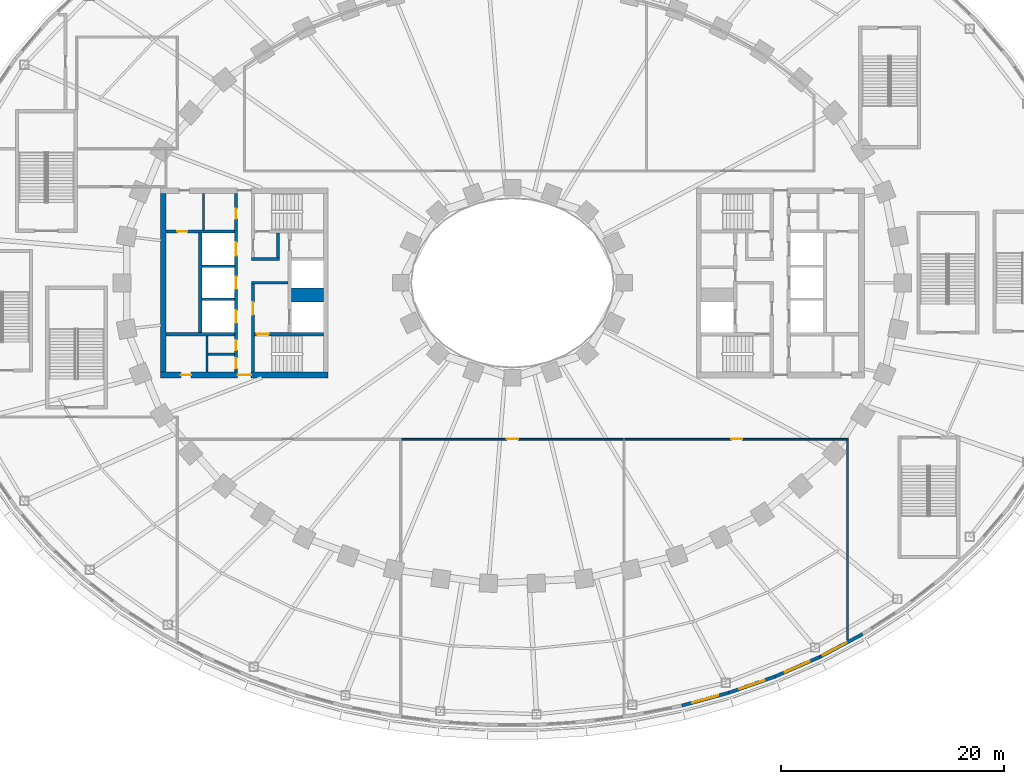
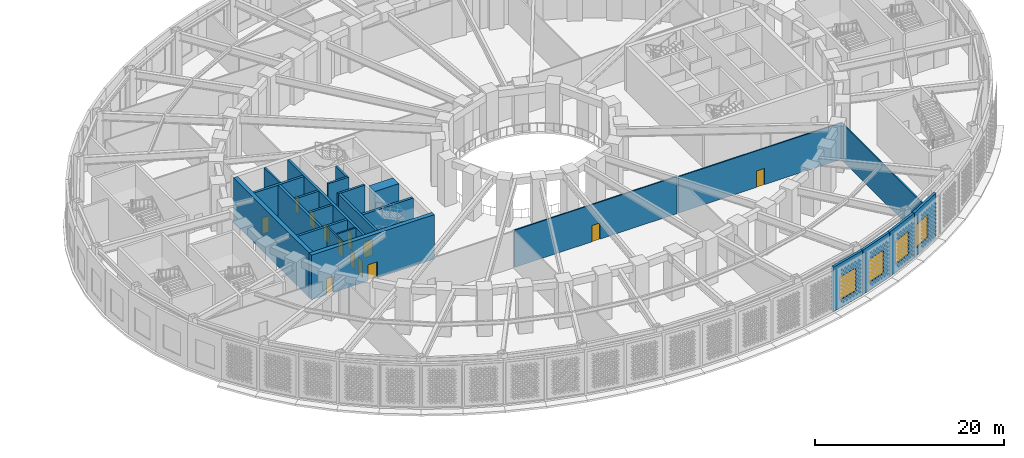
# One storey, part 22 of 74: 24 walls, 13 doors, 4 windows, 17 openings.
"""IFC4 building model written with IfcOpenShell, lengths in metres."""

from ifc_helpers import new_model, si_unit, direction, frame, frame_2d, origin, place, context, subcontext, project, spatial, rectangle, extrude, material, layer, layer_set, type_object, element, fill, save


model = new_model("IFC4")

# Units and contexts
model_context = context("Model", 3, precision=1e-05, world=origin(), true_north=direction((0.0, 1.0)))
body_context = subcontext(model_context, "Body", "Model", "MODEL_VIEW")
ifc_project = project(units=[si_unit("LENGTHUNIT", "METRE"), si_unit("AREAUNIT", "SQUARE_METRE"), si_unit("VOLUMEUNIT", "CUBIC_METRE"), si_unit("PLANEANGLEUNIT", "RADIAN"), si_unit("MASSUNIT", "GRAM", prefix="KILO")], contexts=[model_context])

# Site, building, storey
site_placement = place(None, origin())
site = spatial("IfcSite", under=ifc_project, at=site_placement, CompositionType="ELEMENT")
building_placement = place(site_placement, origin())
building = spatial("IfcBuilding", under=site, at=building_placement, Name="Noorbagh Ring Tower", CompositionType="ELEMENT")
storey_placement = place(building_placement, frame((0.0, 0.0, 13.5)))
storey = spatial("IfcBuildingStorey", under=building, at=storey_placement, Name="L02", CompositionType="ELEMENT", Elevation=13.5)

# Walls
ifc_material_1 = material(Name="Gypsum board on steel studs", Category="steel")
ifc_layer_1 = layer(ifc_material_1, 0.199951171875)
ifc_layer_set_1 = layer_set([ifc_layer_1], Name="Gypsum board on steel studs")
wall_type_1 = type_object("IfcWallType", Name="CORE-PARTITION-200", PredefinedType="PARTITIONING", material=ifc_layer_set_1)
for number, where, z_axis, x_axis, name in (
    (1, (-27.64990234375, 4.75, 0.0), (0.0, 0.0, 1.0), (0.0, 1.0, 0.0), "Core partition W"),
    (2, (-27.35009765625, -8.0, 0.0), (0.0, 0.0, 1.0), (0.0, 1.0, 0.0), "Core partition W"),
):
    element("IfcWall", number, at=place(storey_placement, frame(where, z_axis=z_axis, x_axis=x_axis)), inside=storey, type_object=wall_type_1, Name=name, PredefinedType="PARTITIONING", context=body_context, shape_type="SweptSolid", body=[
        extrude(rectangle(XDim=3.25, YDim=0.199951171875, at=frame_2d((1.625, 0.0))), origin(), (0.0, 0.0, 1.0), 5.75),
    ])
wall_1_placement = place(storey_placement, frame((-24.89990234375, -6.39990234375, 0.0), z_axis=(0.0, 0.0, 1.0), x_axis=(-1.0, 0.0, 0.0)))
element("IfcWall", 3, at=wall_1_placement, inside=storey, type_object=wall_type_1, Name="Core partition W", PredefinedType="PARTITIONING", context=body_context, shape_type="SweptSolid", body=[
    extrude(rectangle(XDim=2.35009765625, YDim=0.199951171875, at=frame_2d((1.175048828125, 0.0))), origin(), (0.0, 0.0, 1.0), 5.75),
])
ifc_material_2 = material(Name="Concrete C70/85", Category="concrete")
ifc_layer_2 = layer(ifc_material_2, 1.25)
ifc_layer_set_2 = layer_set([ifc_layer_2], Name="Concrete C70/85")
wall_type_2 = type_object("IfcWallType", Name="CORE-WALL-1250-C70-85-EI120", PredefinedType="SHEAR", material=ifc_layer_set_2)
wall_2_placement = place(storey_placement, frame((-16.89990234375, -1.074951171875, 0.0), z_axis=(0.0, 0.0, 1.0), x_axis=(-1.0, 0.0, 0.0)))
element("IfcWall", 4, at=wall_2_placement, inside=storey, type_object=wall_type_2, Name="Core wall W", PredefinedType="SHEAR", context=body_context, shape_type="SweptSolid", body=[
    extrude(rectangle(XDim=2.900146484375, YDim=1.25, at=frame_2d((1.4501953125, 0.0))), origin(), (0.0, 0.0, 1.0), 5.75),
])
ifc_material_3 = material(Name="Concrete C70/85", Category="concrete")
ifc_layer_3 = layer(ifc_material_3, 0.25)
ifc_layer_set_3 = layer_set([ifc_layer_3], Name="Concrete C70/85")
wall_type_3 = type_object("IfcWallType", Name="CORE-WALL-250-C70-85-EI120", PredefinedType="SHEAR", material=ifc_layer_set_3)
for number, where, z_axis, x_axis, name in (
    (5, (-24.89990234375, -1.47509765625, 0.0), (0.0, 0.0, 1.0), (-1.0, 0.0, 0.0), "Core wall W"),
    (6, (-24.89990234375, 1.47509765625, 0.0), (0.0, 0.0, 1.0), (-1.0, 0.0, 0.0), "Core wall W"),
):
    element("IfcWall", number, at=place(storey_placement, frame(where, z_axis=z_axis, x_axis=x_axis)), inside=storey, type_object=wall_type_3, Name=name, PredefinedType="SHEAR", context=body_context, shape_type="SweptSolid", body=[
        extrude(rectangle(XDim=2.900146484375, YDim=0.25, at=frame_2d((1.4501953125, 0.0))), origin(), (0.0, 0.0, 1.0), 5.75),
    ])
ifc_material_4 = material(Name="Concrete C70/85", Category="concrete")
ifc_layer_4 = layer(ifc_material_4, 0.25)
ifc_layer_set_4 = layer_set([ifc_layer_4], Name="Concrete C70/85")
wall_type_4 = type_object("IfcWallType", Name="CORE-WALL-250-C70-85-EI240", PredefinedType="SHEAR", material=ifc_layer_set_4)
wall_3_placement = place(storey_placement, frame((-20.10009765625, 0.0, 0.0), z_axis=(0.0, 0.0, 1.0), x_axis=(-1.0, 0.0, 0.0)))
element("IfcWall", 7, at=wall_3_placement, inside=storey, type_object=wall_type_4, Name="Core wall W", PredefinedType="SHEAR", context=body_context, shape_type="SweptSolid", body=[
    extrude(rectangle(XDim=3.27978515625, YDim=0.25, at=frame_2d((1.639892578125, 0.0))), origin(), (0.0, 0.0, 1.0), 5.75),
])
wall_4_placement = place(storey_placement, frame((-20.85009765625, 2.125, 0.0), z_axis=(0.0, 0.0, 1.0), x_axis=(-1.0, 0.0, 0.0)))
element("IfcWall", 8, at=wall_4_placement, inside=storey, type_object=wall_type_4, Name="Core wall W", PredefinedType="SHEAR", context=body_context, shape_type="SweptSolid", body=[
    extrude(rectangle(XDim=2.52978515625, YDim=0.25, at=frame_2d((1.264892578125, 0.0))), origin(), (0.0, 0.0, 1.0), 5.75),
])
wall_5_placement = place(storey_placement, frame((-20.97509765625, 2.25, 0.0), z_axis=(0.0, 0.0, 1.0), x_axis=(0.0, 1.0, 0.0)))
element("IfcWall", 9, at=wall_5_placement, inside=storey, type_object=wall_type_4, Name="Core wall W", PredefinedType="SHEAR", context=body_context, shape_type="SweptSolid", body=[
    extrude(rectangle(XDim=2.199951171875, YDim=0.25, at=frame_2d((1.10009765625, 0.0))), origin(), (0.0, 0.0, 1.0), 5.75),
])
ifc_material_5 = material(Name="Concrete C70/85", Category="concrete")
ifc_layer_5 = layer(ifc_material_5, 0.300048828125)
ifc_layer_set_5 = layer_set([ifc_layer_5], Name="Concrete C70/85")
wall_type_5 = type_object("IfcWallType", Name="CORE-WALL-300-C70-85-EI120", PredefinedType="SHEAR", material=ifc_layer_set_5)
wall_6_placement = place(storey_placement, frame((-27.949951171875, -4.449951171875, 0.0), z_axis=(0.0, 0.0, 1.0), x_axis=(0.0, 1.0, 0.0)))
element("IfcWall", 10, at=wall_6_placement, inside=storey, type_object=wall_type_5, Name="Core wall W", PredefinedType="SHEAR", context=body_context, shape_type="SweptSolid", body=[
    extrude(rectangle(XDim=8.89990234375, YDim=0.300048828125, at=frame_2d((4.449951171875, 0.0))), origin(), (0.0, 0.0, 1.0), 5.75),
])

# Wall, openings, doors
wall_7_placement = place(storey_placement, frame((-24.75, -8.0, 0.0), z_axis=(0.0, 0.0, 1.0), x_axis=(0.0, 1.0, 0.0)))
wall_7 = element("IfcWall", 11, at=wall_7_placement, inside=storey, type_object=wall_type_5, Name="Core wall W", PredefinedType="SHEAR", context=body_context, shape_type="SweptSolid", body=[
    extrude(rectangle(XDim=16.0, YDim=0.300048828125, at=frame_2d((8.0, 0.0))), origin(), (0.0, 0.0, 1.0), 5.75),
])
opening_1_placement = place(wall_7_placement, frame((4.425048828125, 0.0, 0.0)))
opening_1 = element("IfcOpeningElement", 12, at=opening_1_placement, cuts=wall_7, Name="Opening L02-CW02", PredefinedType="OPENING", context=body_context, shape_type="SweptSolid", body=[
    extrude(rectangle(XDim=1.10009765625, YDim=2.10009765625, at=frame_2d((0.550048828125, 1.050048828125))), frame((0.0, 0.16015625, 0.0), z_axis=(0.0, -1.0, 0.0), x_axis=(1.0, 0.0, 0.0)), (0.0, 0.0, 1.0), 0.320068359375),
])
opening_2_placement = place(wall_7_placement, frame((7.449951171875, 0.0, 0.0)))
opening_2 = element("IfcOpeningElement", 13, at=opening_2_placement, cuts=wall_7, Name="Opening L02-CW03", PredefinedType="OPENING", context=body_context, shape_type="SweptSolid", body=[
    extrude(rectangle(XDim=1.10009765625, YDim=2.10009765625, at=frame_2d((0.550048828125, 1.050048828125))), frame((0.0, 0.16015625, 0.0), z_axis=(0.0, -1.0, 0.0), x_axis=(1.0, 0.0, 0.0)), (0.0, 0.0, 1.0), 0.320068359375),
])
opening_3_placement = place(wall_7_placement, frame((10.425048828125, 0.0, 0.0)))
opening_3 = element("IfcOpeningElement", 14, at=opening_3_placement, cuts=wall_7, Name="Opening L02-CW04", PredefinedType="OPENING", context=body_context, shape_type="SweptSolid", body=[
    extrude(rectangle(XDim=1.199951171875, YDim=2.10009765625, at=frame_2d((0.60009765625, 1.050048828125))), frame((0.0, 0.16015625, 0.0), z_axis=(0.0, -1.0, 0.0), x_axis=(1.0, 0.0, 0.0)), (0.0, 0.0, 1.0), 0.320068359375),
])
opening_4_placement = place(wall_7_placement, frame((13.75, 0.0, 0.0)))
opening_4 = element("IfcOpeningElement", 15, at=opening_4_placement, cuts=wall_7, Name="Opening L02-CW12", PredefinedType="OPENING", context=body_context, shape_type="SweptSolid", body=[
    extrude(rectangle(XDim=0.89990234375, YDim=2.10009765625, at=frame_2d((0.449951171875, 1.050048828125))), frame((0.0, 0.16015625, 0.0), z_axis=(0.0, -1.0, 0.0), x_axis=(1.0, 0.0, 0.0)), (0.0, 0.0, 1.0), 0.320068359375),
])
opening_5_placement = place(wall_7_placement, frame((1.97509765625, 0.0, 0.0)))
opening_5 = element("IfcOpeningElement", 16, at=opening_5_placement, cuts=wall_7, Name="Opening L02-CW14", PredefinedType="OPENING", context=body_context, shape_type="SweptSolid", body=[
    extrude(rectangle(XDim=0.89990234375, YDim=2.10009765625, at=frame_2d((0.449951171875, 1.050048828125))), frame((0.0, 0.16015625, 0.0), z_axis=(0.0, -1.0, 0.0), x_axis=(1.0, 0.0, 0.0)), (0.0, 0.0, 1.0), 0.320068359375),
])
opening_6_placement = place(wall_7_placement, frame((0.35009765625, 0.0, 0.0)))
opening_6 = element("IfcOpeningElement", 17, at=opening_6_placement, cuts=wall_7, Name="Opening L02-CW15", PredefinedType="OPENING", context=body_context, shape_type="SweptSolid", body=[
    extrude(rectangle(XDim=0.89990234375, YDim=2.10009765625, at=frame_2d((0.449951171875, 1.050048828125))), frame((0.0, 0.16015625, 0.0), z_axis=(0.0, -1.0, 0.0), x_axis=(1.0, 0.0, 0.0)), (0.0, 0.0, 1.0), 0.320068359375),
])
ifc_material_6 = material(Name="Steel door leaf", Category="steel")
door_type_1 = type_object("IfcDoorType", Name="CORE-DOOR-DROOM", OperationType="SINGLE_SWING_LEFT", PredefinedType="DOOR", material=ifc_material_6)
door_1_placement = place(opening_4_placement, origin())
door_1 = element("IfcDoor", 18, at=door_1_placement, inside=storey, type_object=door_type_1, Name="Core room door L02-CW12", OperationType="SINGLE_SWING_RIGHT", OverallHeight=2.10009765625, OverallWidth=0.89990234375, PredefinedType="DOOR", context=body_context, shape_type="SweptSolid", body=[
    extrude(rectangle(XDim=0.89990234375, YDim=2.10009765625, at=frame_2d((0.449951171875, 1.050048828125))), frame((0.0, 0.02490234375, 0.0), z_axis=(0.0, -1.0, 0.0), x_axis=(1.0, 0.0, 0.0)), (0.0, 0.0, 1.0), 0.050048828125),
])
fill(opening_4, door_1)
door_2_placement = place(opening_5_placement, origin())
door_2 = element("IfcDoor", 19, at=door_2_placement, inside=storey, type_object=door_type_1, Name="Core room door L02-CW14", OperationType="SINGLE_SWING_RIGHT", OverallHeight=2.10009765625, OverallWidth=0.89990234375, PredefinedType="DOOR", context=body_context, shape_type="SweptSolid", body=[
    extrude(rectangle(XDim=0.89990234375, YDim=2.10009765625, at=frame_2d((0.449951171875, 1.050048828125))), frame((0.0, 0.02490234375, 0.0), z_axis=(0.0, -1.0, 0.0), x_axis=(1.0, 0.0, 0.0)), (0.0, 0.0, 1.0), 0.050048828125),
])
fill(opening_5, door_2)
door_3_placement = place(opening_6_placement, origin())
door_3 = element("IfcDoor", 20, at=door_3_placement, inside=storey, type_object=door_type_1, Name="Core room door L02-CW15", OperationType="SINGLE_SWING_LEFT", OverallHeight=2.10009765625, OverallWidth=0.89990234375, PredefinedType="DOOR", context=body_context, shape_type="SweptSolid", body=[
    extrude(rectangle(XDim=0.89990234375, YDim=2.10009765625, at=frame_2d((0.449951171875, 1.050048828125))), frame((0.0, 0.02490234375, 0.0), z_axis=(0.0, -1.0, 0.0), x_axis=(1.0, 0.0, 0.0)), (0.0, 0.0, 1.0), 0.050048828125),
])
fill(opening_6, door_3)
ifc_material_7 = material(Name="Steel door leaf", Category="steel")
door_type_2 = type_object("IfcDoorType", Name="CORE-DOOR-LD", OperationType="DOUBLE_DOOR_SLIDING", PredefinedType="DOOR", material=ifc_material_7)
door_4_placement = place(opening_1_placement, origin())
door_4 = element("IfcDoor", 21, at=door_4_placement, inside=storey, type_object=door_type_2, Name="Landing door LR1 L02-CW02", OperationType="DOUBLE_DOOR_SLIDING", OverallHeight=2.10009765625, OverallWidth=1.10009765625, PredefinedType="DOOR", context=body_context, shape_type="SweptSolid", body=[
    extrude(rectangle(XDim=1.10009765625, YDim=2.10009765625, at=frame_2d((0.550048828125, 1.050048828125))), frame((0.0, 0.02490234375, 0.0), z_axis=(0.0, -1.0, 0.0), x_axis=(1.0, 0.0, 0.0)), (0.0, 0.0, 1.0), 0.050048828125),
])
fill(opening_1, door_4)
door_5_placement = place(opening_2_placement, origin())
door_5 = element("IfcDoor", 22, at=door_5_placement, inside=storey, type_object=door_type_2, Name="Landing door LR2 L02-CW03", OperationType="DOUBLE_DOOR_SLIDING", OverallHeight=2.10009765625, OverallWidth=1.10009765625, PredefinedType="DOOR", context=body_context, shape_type="SweptSolid", body=[
    extrude(rectangle(XDim=1.10009765625, YDim=2.10009765625, at=frame_2d((0.550048828125, 1.050048828125))), frame((0.0, 0.02490234375, 0.0), z_axis=(0.0, -1.0, 0.0), x_axis=(1.0, 0.0, 0.0)), (0.0, 0.0, 1.0), 0.050048828125),
])
fill(opening_2, door_5)
ifc_material_8 = material(Name="Steel door leaf", Category="steel")
door_type_3 = type_object("IfcDoorType", Name="CORE-DOOR-LDW", OperationType="DOUBLE_DOOR_SLIDING", PredefinedType="DOOR", material=ifc_material_8)
door_6_placement = place(opening_3_placement, origin())
door_6 = element("IfcDoor", 23, at=door_6_placement, inside=storey, type_object=door_type_3, Name="Landing door SV1 L02-CW04", OperationType="DOUBLE_DOOR_SLIDING", OverallHeight=2.10009765625, OverallWidth=1.199951171875, PredefinedType="DOOR", context=body_context, shape_type="SweptSolid", body=[
    extrude(rectangle(XDim=1.199951171875, YDim=2.10009765625, at=frame_2d((0.60009765625, 1.050048828125))), frame((0.0, 0.02490234375, 0.0), z_axis=(0.0, -1.0, 0.0), x_axis=(1.0, 0.0, 0.0)), (0.0, 0.0, 1.0), 0.050048828125),
])
fill(opening_3, door_6)

# Wall, opening, door
ifc_material_9 = material(Name="Concrete C70/85", Category="concrete")
ifc_layer_6 = layer(ifc_material_9, 0.300048828125)
ifc_layer_set_6 = layer_set([ifc_layer_6], Name="Concrete C70/85")
wall_type_6 = type_object("IfcWallType", Name="CORE-WALL-300-C70-85-EI240", PredefinedType="SHEAR", material=ifc_layer_set_6)
wall_8_placement = place(storey_placement, frame((-24.89990234375, 4.60009765625, 0.0), z_axis=(0.0, 0.0, 1.0), x_axis=(-1.0, 0.0, 0.0)))
wall_8 = element("IfcWall", 24, at=wall_8_placement, inside=storey, type_object=wall_type_6, Name="Core wall W", PredefinedType="SHEAR", context=body_context, shape_type="SweptSolid", body=[
    extrude(rectangle(XDim=6.10009765625, YDim=0.300048828125, at=frame_2d((3.050048828125, 0.0))), origin(), (0.0, 0.0, 1.0), 5.75),
])
opening_7_placement = place(wall_8_placement, frame((4.199951171875, 0.0, 0.0)))
opening_7 = element("IfcOpeningElement", 25, at=opening_7_placement, cuts=wall_8, Name="Opening L02-CW17", PredefinedType="OPENING", context=body_context, shape_type="SweptSolid", body=[
    extrude(rectangle(XDim=0.89990234375, YDim=2.10009765625, at=frame_2d((0.449951171875, 1.050048828125))), frame((0.0, 0.16015625, 0.0), z_axis=(0.0, -1.0, 0.0), x_axis=(1.0, 0.0, 0.0)), (0.0, 0.0, 1.0), 0.320068359375),
])
door_7_placement = place(opening_7_placement, origin())
door_7 = element("IfcDoor", 26, at=door_7_placement, inside=storey, type_object=door_type_1, Name="Core room door L02-CW17", OperationType="SINGLE_SWING_LEFT", OverallHeight=2.10009765625, OverallWidth=0.89990234375, PredefinedType="DOOR", context=body_context, shape_type="SweptSolid", body=[
    extrude(rectangle(XDim=0.89990234375, YDim=2.10009765625, at=frame_2d((0.449951171875, 1.050048828125))), frame((0.0, 0.02490234375, 0.0), z_axis=(0.0, -1.0, 0.0), x_axis=(1.0, 0.0, 0.0)), (0.0, 0.0, 1.0), 0.050048828125),
])
fill(opening_7, door_7)

# Wall
wall_9_placement = place(storey_placement, frame((-24.89990234375, -4.60009765625, 0.0), z_axis=(0.0, 0.0, 1.0), x_axis=(-1.0, 0.0, 0.0)))
element("IfcWall", 27, at=wall_9_placement, inside=storey, type_object=wall_type_6, Name="Core wall W", PredefinedType="SHEAR", context=body_context, shape_type="SweptSolid", body=[
    extrude(rectangle(XDim=6.10009765625, YDim=0.300048828125, at=frame_2d((3.050048828125, 0.0))), origin(), (0.0, 0.0, 1.0), 5.75),
])

# Wall, opening, door
wall_10_placement = place(storey_placement, frame((-23.22998046875, -8.0, 0.0), z_axis=(0.0, 0.0, 1.0), x_axis=(0.0, 1.0, 0.0)))
wall_10 = element("IfcWall", 28, at=wall_10_placement, inside=storey, type_object=wall_type_6, Name="Core wall W", PredefinedType="SHEAR", context=body_context, shape_type="SweptSolid", body=[
    extrude(rectangle(XDim=7.875, YDim=0.300048828125, at=frame_2d((3.9375, 0.0))), origin(), (0.0, 0.0, 1.0), 5.75),
])
opening_8_placement = place(wall_10_placement, frame((5.14990234375, 0.0, 0.0)))
opening_8 = element("IfcOpeningElement", 29, at=opening_8_placement, cuts=wall_10, Name="Opening L02-CW07", PredefinedType="OPENING", context=body_context, shape_type="SweptSolid", body=[
    extrude(rectangle(XDim=1.10009765625, YDim=2.10009765625, at=frame_2d((0.550048828125, 1.050048828125))), frame((0.0, 0.16015625, 0.0), z_axis=(0.0, -1.0, 0.0), x_axis=(1.0, 0.0, 0.0)), (0.0, 0.0, 1.0), 0.320068359375),
])
ifc_material_10 = material(Name="Steel door leaf", Category="steel")
door_type_4 = type_object("IfcDoorType", Name="CORE-DOOR-DFF", OperationType="SINGLE_SWING_LEFT", PredefinedType="DOOR", material=ifc_material_10)
door_8_placement = place(opening_8_placement, origin())
door_8 = element("IfcDoor", 30, at=door_8_placement, inside=storey, type_object=door_type_4, Name="Firefighting lobby door L02-CW07", OperationType="SINGLE_SWING_LEFT", OverallHeight=2.10009765625, OverallWidth=1.10009765625, PredefinedType="DOOR", context=body_context, shape_type="SweptSolid", body=[
    extrude(rectangle(XDim=1.10009765625, YDim=2.10009765625, at=frame_2d((0.550048828125, 1.050048828125))), frame((0.0, 0.02490234375, 0.0), z_axis=(0.0, -1.0, 0.0), x_axis=(1.0, 0.0, 0.0)), (0.0, 0.0, 1.0), 0.050048828125),
])
fill(opening_8, door_8)

wall_11_placement = place(storey_placement, frame((-16.89990234375, -4.60009765625, 0.0), z_axis=(0.0, 0.0, 1.0), x_axis=(-1.0, 0.0, 0.0)))
wall_11 = element("IfcWall", 31, at=wall_11_placement, inside=storey, type_object=wall_type_6, Name="Core wall W", PredefinedType="SHEAR", context=body_context, shape_type="SweptSolid", body=[
    extrude(rectangle(XDim=6.18017578125, YDim=0.300048828125, at=frame_2d((3.090087890625, 0.0))), origin(), (0.0, 0.0, 1.0), 5.75),
])
opening_9_placement = place(wall_11_placement, frame((4.89990234375, 0.0, 0.0)))
opening_9 = element("IfcOpeningElement", 32, at=opening_9_placement, cuts=wall_11, Name="Opening L02-CW06", PredefinedType="OPENING", context=body_context, shape_type="SweptSolid", body=[
    extrude(rectangle(XDim=1.10009765625, YDim=2.10009765625, at=frame_2d((0.550048828125, 1.050048828125))), frame((0.0, 0.16015625, 0.0), z_axis=(0.0, -1.0, 0.0), x_axis=(1.0, 0.0, 0.0)), (0.0, 0.0, 1.0), 0.320068359375),
])
ifc_material_11 = material(Name="Steel door leaf", Category="steel")
door_type_5 = type_object("IfcDoorType", Name="CORE-DOOR-DSTAIR", OperationType="SINGLE_SWING_LEFT", PredefinedType="DOOR", material=ifc_material_11)
door_9_placement = place(opening_9_placement, origin())
door_9 = element("IfcDoor", 33, at=door_9_placement, inside=storey, type_object=door_type_5, Name="Stair door ST2 L02-CW06", OperationType="SINGLE_SWING_LEFT", OverallHeight=2.10009765625, OverallWidth=1.10009765625, PredefinedType="DOOR", context=body_context, shape_type="SweptSolid", body=[
    extrude(rectangle(XDim=1.10009765625, YDim=2.10009765625, at=frame_2d((0.550048828125, 1.050048828125))), frame((0.0, 0.02490234375, 0.0), z_axis=(0.0, -1.0, 0.0), x_axis=(1.0, 0.0, 0.0)), (0.0, 0.0, 1.0), 0.050048828125),
])
fill(opening_9, door_9)

# Wall, openings, doors
ifc_material_12 = material(Name="Concrete C70/85", Category="concrete")
ifc_layer_7 = layer(ifc_material_12, 0.5)
ifc_layer_set_7 = layer_set([ifc_layer_7], Name="Concrete C70/85")
wall_type_7 = type_object("IfcWallType", Name="CORE-WALL-500-C70-85-EI240", PredefinedType="SHEAR", material=ifc_layer_set_7)
wall_12_placement = place(storey_placement, frame((-16.5, -8.25, 0.0), z_axis=(0.0, 0.0, 1.0), x_axis=(-1.0, 0.0, 0.0)))
wall_12 = element("IfcWall", 34, at=wall_12_placement, inside=storey, type_object=wall_type_7, Name="Core wall W", PredefinedType="SHEAR", context=body_context, shape_type="SweptSolid", body=[
    extrude(rectangle(XDim=15.0, YDim=0.5, at=frame_2d((7.5, 0.0))), origin(), (0.0, 0.0, 1.0), 5.75),
])
opening_10_placement = place(wall_12_placement, frame((6.89990234375, 0.0, 0.0)))
opening_10 = element("IfcOpeningElement", 35, at=opening_10_placement, cuts=wall_12, Name="Opening L02-CW10", PredefinedType="OPENING", context=body_context, shape_type="SweptSolid", body=[
    extrude(rectangle(XDim=1.199951171875, YDim=2.10009765625, at=frame_2d((0.60009765625, 1.050048828125))), frame((0.0, 0.260009765625, 0.0), z_axis=(0.0, -1.0, 0.0), x_axis=(1.0, 0.0, 0.0)), (0.0, 0.0, 1.0), 0.52001953125),
])
opening_11_placement = place(wall_12_placement, frame((12.27490234375, 0.0, 0.0)))
opening_11 = element("IfcOpeningElement", 36, at=opening_11_placement, cuts=wall_12, Name="Opening L02-CW16", PredefinedType="OPENING", context=body_context, shape_type="SweptSolid", body=[
    extrude(rectangle(XDim=0.89990234375, YDim=2.10009765625, at=frame_2d((0.449951171875, 1.050048828125))), frame((0.0, 0.260009765625, 0.0), z_axis=(0.0, -1.0, 0.0), x_axis=(1.0, 0.0, 0.0)), (0.0, 0.0, 1.0), 0.52001953125),
])
door_10_placement = place(opening_11_placement, origin())
door_10 = element("IfcDoor", 37, at=door_10_placement, inside=storey, type_object=door_type_1, Name="Core room door L02-CW16", OperationType="SINGLE_SWING_LEFT", OverallHeight=2.10009765625, OverallWidth=0.89990234375, PredefinedType="DOOR", context=body_context, shape_type="SweptSolid", body=[
    extrude(rectangle(XDim=0.89990234375, YDim=2.10009765625, at=frame_2d((0.449951171875, 1.050048828125))), frame((0.0, 0.02490234375, 0.0), z_axis=(0.0, -1.0, 0.0), x_axis=(1.0, 0.0, 0.0)), (0.0, 0.0, 1.0), 0.050048828125),
])
fill(opening_11, door_10)
ifc_material_13 = material(Name="Steel door leaf", Category="steel")
door_type_6 = type_object("IfcDoorType", Name="CORE-DOOR-PORT", OperationType="DOUBLE_DOOR_DOUBLE_SWING", PredefinedType="DOOR", material=ifc_material_13)
door_11_placement = place(opening_10_placement, origin())
door_11 = element("IfcDoor", 38, at=door_11_placement, inside=storey, type_object=door_type_6, Name="Core entrance door L02-CW10", OperationType="DOUBLE_DOOR_DOUBLE_SWING", OverallHeight=2.10009765625, OverallWidth=1.199951171875, PredefinedType="DOOR", context=body_context, shape_type="SweptSolid", body=[
    extrude(rectangle(XDim=1.199951171875, YDim=2.10009765625, at=frame_2d((0.60009765625, 1.050048828125))), frame((0.0, 0.02490234375, 0.0), z_axis=(0.0, -1.0, 0.0), x_axis=(1.0, 0.0, 0.0)), (0.0, 0.0, 1.0), 0.050048828125),
])
fill(opening_10, door_11)

# Wall
wall_13_placement = place(storey_placement, frame((-31.25, -8.0, 0.0), z_axis=(0.0, 0.0, 1.0), x_axis=(0.0, 1.0, 0.0)))
element("IfcWall", 39, at=wall_13_placement, inside=storey, type_object=wall_type_7, Name="Core wall W", PredefinedType="SHEAR", context=body_context, shape_type="SweptSolid", body=[
    extrude(rectangle(XDim=16.0, YDim=0.5, at=frame_2d((8.0, 0.0))), origin(), (0.0, 0.0, 1.0), 5.75),
])

# Wall, opening, window
ifc_material_14 = material(Name="Blockwork faced with red sandstone", Category="masonry")
ifc_layer_8 = layer(ifc_material_14, 0.300048828125)
ifc_layer_set_8 = layer_set([ifc_layer_8], Name="Blockwork faced with red sandstone")
wall_type_8 = type_object("IfcWallType", Name="GND-ENV-WALL", PredefinedType="SOLIDWALL", material=ifc_layer_set_8)
wall_14_placement = place(storey_placement, frame((15.164794921875, -37.85009765625, 0.0), z_axis=(0.0, 0.0, 1.0), x_axis=(0.964679950239, 0.263424739931, 0.0)))
wall_14 = element("IfcWall", 40, at=wall_14_placement, inside=storey, type_object=wall_type_8, Name="Podium wall", PredefinedType="SOLIDWALL", context=body_context, shape_type="SweptSolid", body=[
    extrude(rectangle(XDim=4.368896484375, YDim=0.300048828125, at=frame_2d((2.1845703125, 0.0))), origin(), (0.0, 0.0, 1.0), 5.75),
])
opening_12_placement = place(wall_14_placement, frame((0.984619140625, 0.0, 1.0)))
opening_12 = element("IfcOpeningElement", 41, at=opening_12_placement, cuts=wall_14, Name="Opening GWN1", PredefinedType="OPENING", context=body_context, shape_type="SweptSolid", body=[
    extrude(rectangle(XDim=2.39990234375, YDim=3.0, at=frame_2d((1.199951171875, 1.5))), frame((0.0, 0.16015625, 0.0), z_axis=(0.0, -1.0, 0.0), x_axis=(1.0, 0.0, 0.0)), (0.0, 0.0, 1.0), 0.320068359375),
])
ifc_material_15 = material(Name="Aluminium and glass", Category="aluminium")
window_type = type_object("IfcWindowType", Name="GND-ENV-WINDOW", PartitioningType="SINGLE_PANEL", PredefinedType="WINDOW", material=ifc_material_15)
window_1_placement = place(opening_12_placement, origin())
window_1 = element("IfcWindow", 42, at=window_1_placement, inside=storey, type_object=window_type, Name="L02 podium window", OverallHeight=3.0, OverallWidth=2.39990234375, PartitioningType="SINGLE_PANEL", PredefinedType="WINDOW", context=body_context, shape_type="SweptSolid", body=[
    extrude(rectangle(XDim=2.39990234375, YDim=3.0, at=frame_2d((1.199951171875, 1.5))), frame((0.0, 0.030029296875, 0.0), z_axis=(0.0, -1.0, 0.0), x_axis=(1.0, 0.0, 0.0)), (0.0, 0.0, 1.0), 0.06005859375),
])
fill(opening_12, window_1)

wall_15_placement = place(storey_placement, frame((19.37939453125, -36.69921875, 0.0), z_axis=(0.0, 0.0, 1.0), x_axis=(0.943526738033, 0.331296384853, 0.0)))
wall_15 = element("IfcWall", 43, at=wall_15_placement, inside=storey, type_object=wall_type_8, Name="Podium wall", PredefinedType="SOLIDWALL", context=body_context, shape_type="SweptSolid", body=[
    extrude(rectangle(XDim=4.36767578125, YDim=0.300048828125, at=frame_2d((2.183837890625, 0.0))), origin(), (0.0, 0.0, 1.0), 5.75),
])
opening_13_placement = place(wall_15_placement, frame((0.98388671875, 0.0, 1.0)))
opening_13 = element("IfcOpeningElement", 44, at=opening_13_placement, cuts=wall_15, Name="Opening GWN1", PredefinedType="OPENING", context=body_context, shape_type="SweptSolid", body=[
    extrude(rectangle(XDim=2.39990234375, YDim=3.0, at=frame_2d((1.199951171875, 1.5))), frame((0.0, 0.16015625, 0.0), z_axis=(0.0, -1.0, 0.0), x_axis=(1.0, 0.0, 0.0)), (0.0, 0.0, 1.0), 0.320068359375),
])
window_2_placement = place(opening_13_placement, origin())
window_2 = element("IfcWindow", 45, at=window_2_placement, inside=storey, type_object=window_type, Name="L02 podium window", OverallHeight=3.0, OverallWidth=2.39990234375, PartitioningType="SINGLE_PANEL", PredefinedType="WINDOW", context=body_context, shape_type="SweptSolid", body=[
    extrude(rectangle(XDim=2.39990234375, YDim=3.0, at=frame_2d((1.199951171875, 1.5))), frame((0.0, 0.030029296875, 0.0), z_axis=(0.0, -1.0, 0.0), x_axis=(1.0, 0.0, 0.0)), (0.0, 0.0, 1.0), 0.06005859375),
])
fill(opening_13, window_2)

wall_16_placement = place(storey_placement, frame((23.50048828125, -35.252197265625, 0.0), z_axis=(0.0, 0.0, 1.0), x_axis=(0.916336904548, 0.400408138483, 0.0)))
wall_16 = element("IfcWall", 46, at=wall_16_placement, inside=storey, type_object=wall_type_8, Name="Podium wall", PredefinedType="SOLIDWALL", context=body_context, shape_type="SweptSolid", body=[
    extrude(rectangle(XDim=4.3662109375, YDim=0.300048828125, at=frame_2d((2.18310546875, 0.0))), origin(), (0.0, 0.0, 1.0), 5.75),
])
opening_14_placement = place(wall_16_placement, frame((0.983154296875, 0.0, 1.0)))
opening_14 = element("IfcOpeningElement", 47, at=opening_14_placement, cuts=wall_16, Name="Opening GWN1", PredefinedType="OPENING", context=body_context, shape_type="SweptSolid", body=[
    extrude(rectangle(XDim=2.39990234375, YDim=3.0, at=frame_2d((1.199951171875, 1.5))), frame((0.0, 0.16015625, 0.0), z_axis=(0.0, -1.0, 0.0), x_axis=(1.0, 0.0, 0.0)), (0.0, 0.0, 1.0), 0.320068359375),
])
window_3_placement = place(opening_14_placement, origin())
window_3 = element("IfcWindow", 48, at=window_3_placement, inside=storey, type_object=window_type, Name="L02 podium window", OverallHeight=3.0, OverallWidth=2.39990234375, PartitioningType="SINGLE_PANEL", PredefinedType="WINDOW", context=body_context, shape_type="SweptSolid", body=[
    extrude(rectangle(XDim=2.39990234375, YDim=3.0, at=frame_2d((1.199951171875, 1.5))), frame((0.0, 0.030029296875, 0.0), z_axis=(0.0, -1.0, 0.0), x_axis=(1.0, 0.0, 0.0)), (0.0, 0.0, 1.0), 0.06005859375),
])
fill(opening_14, window_3)

wall_17_placement = place(storey_placement, frame((27.50146484375, -33.50390625, 0.0), z_axis=(0.0, 0.0, 1.0), x_axis=(0.882159305704, 0.47095112205, 0.0)))
wall_17 = element("IfcWall", 49, at=wall_17_placement, inside=storey, type_object=wall_type_8, Name="Podium wall", PredefinedType="SOLIDWALL", context=body_context, shape_type="SweptSolid", body=[
    extrude(rectangle(XDim=4.364501953125, YDim=0.300048828125, at=frame_2d((2.18212890625, 0.0))), origin(), (0.0, 0.0, 1.0), 5.75),
])
opening_15_placement = place(wall_17_placement, frame((0.34228515625, 0.0, 1.0)))
opening_15 = element("IfcOpeningElement", 50, at=opening_15_placement, cuts=wall_17, Name="Opening GWN1", PredefinedType="OPENING", context=body_context, shape_type="SweptSolid", body=[
    extrude(rectangle(XDim=2.39990234375, YDim=3.0, at=frame_2d((1.199951171875, 1.5))), frame((0.0, 0.16015625, 0.0), z_axis=(0.0, -1.0, 0.0), x_axis=(1.0, 0.0, 0.0)), (0.0, 0.0, 1.0), 0.320068359375),
])
window_4_placement = place(opening_15_placement, origin())
window_4 = element("IfcWindow", 51, at=window_4_placement, inside=storey, type_object=window_type, Name="L02 podium window", OverallHeight=3.0, OverallWidth=2.39990234375, PartitioningType="SINGLE_PANEL", PredefinedType="WINDOW", context=body_context, shape_type="SweptSolid", body=[
    extrude(rectangle(XDim=2.39990234375, YDim=3.0, at=frame_2d((1.199951171875, 1.5))), frame((0.0, 0.030029296875, 0.0), z_axis=(0.0, -1.0, 0.0), x_axis=(1.0, 0.0, 0.0)), (0.0, 0.0, 1.0), 0.06005859375),
])
fill(opening_15, window_4)

# Wall, opening, door
ifc_material_16 = material(Name="Gypsum board on steel studs", Category="steel")
ifc_layer_9 = layer(ifc_material_16, 0.14990234375)
ifc_layer_set_9 = layer_set([ifc_layer_9], Name="Gypsum board on steel studs")
wall_type_9 = type_object("IfcWallType", Name="GND-PART-150", PredefinedType="PARTITIONING", material=ifc_layer_set_9)
wall_18_placement = place(storey_placement, frame((-9.925048828125, -14.0, 0.0), z_axis=(0.0, 0.0, 1.0), x_axis=(1.0, 0.0, 0.0)))
wall_18 = element("IfcWall", 52, at=wall_18_placement, inside=storey, type_object=wall_type_9, Name="L02/wall/P036", PredefinedType="PARTITIONING", context=body_context, shape_type="SweptSolid", body=[
    extrude(rectangle(XDim=19.85009765625, YDim=0.14990234375, at=frame_2d((9.925048828125, 0.0))), origin(), (0.0, 0.0, 1.0), 4.800048828125),
])
opening_16_placement = place(wall_18_placement, frame((9.425048828125, 0.0, 0.0)))
opening_16 = element("IfcOpeningElement", 53, at=opening_16_placement, cuts=wall_18, Name="Opening GD6", PredefinedType="OPENING", context=body_context, shape_type="SweptSolid", body=[
    extrude(rectangle(XDim=1.0, YDim=2.10009765625, at=frame_2d((0.5, 1.050048828125))), frame((0.0, 0.0849609375, 0.0), z_axis=(0.0, -1.0, 0.0), x_axis=(1.0, 0.0, 0.0)), (0.0, 0.0, 1.0), 0.169921875),
])
ifc_material_17 = material(Name="Timber", Category="wood")
door_type_7 = type_object("IfcDoorType", Name="GND-DOOR-HALL", OperationType="SINGLE_SWING_LEFT", PredefinedType="DOOR", material=ifc_material_17)
door_12_placement = place(opening_16_placement, origin())
door_12 = element("IfcDoor", 54, at=door_12_placement, inside=storey, type_object=door_type_7, Name="Conference room 2 door", OperationType="SINGLE_SWING_RIGHT", OverallHeight=2.10009765625, OverallWidth=1.0, PredefinedType="DOOR", context=body_context, shape_type="SweptSolid", body=[
    extrude(rectangle(XDim=1.0, YDim=2.10009765625, at=frame_2d((0.5, 1.050048828125))), frame((0.0, 0.02490234375, 0.0), z_axis=(0.0, -1.0, 0.0), x_axis=(1.0, 0.0, 0.0)), (0.0, 0.0, 1.0), 0.050048828125),
])
fill(opening_16, door_12)

# Wall
wall_19_placement = place(storey_placement, frame((30.0, -14.074951171875, 0.0), z_axis=(0.0, 0.0, 1.0), x_axis=(0.0, -1.0, 0.0)))
element("IfcWall", 55, at=wall_19_placement, inside=storey, type_object=wall_type_9, Name="L02/wall/P037", PredefinedType="PARTITIONING", context=body_context, shape_type="SweptSolid", body=[
    extrude(rectangle(XDim=17.89501953125, YDim=0.14990234375, at=frame_2d((8.947509765625, 0.0))), origin(), (0.0, 0.0, 1.0), 4.75),
])

# Wall, opening, door
wall_20_placement = place(storey_placement, frame((10.074951171875, -14.0, 0.0), z_axis=(0.0, 0.0, 1.0), x_axis=(1.0, 0.0, 0.0)))
wall_20 = element("IfcWall", 56, at=wall_20_placement, inside=storey, type_object=wall_type_9, Name="L02/wall/P038", PredefinedType="PARTITIONING", context=body_context, shape_type="SweptSolid", body=[
    extrude(rectangle(XDim=20.0, YDim=0.14990234375, at=frame_2d((10.0, 0.0))), origin(), (0.0, 0.0, 1.0), 4.699951171875),
])
opening_17_placement = place(wall_20_placement, frame((9.5, 0.0, 0.0)))
opening_17 = element("IfcOpeningElement", 57, at=opening_17_placement, cuts=wall_20, Name="Opening GD6", PredefinedType="OPENING", context=body_context, shape_type="SweptSolid", body=[
    extrude(rectangle(XDim=1.0, YDim=2.10009765625, at=frame_2d((0.5, 1.050048828125))), frame((0.0, 0.0849609375, 0.0), z_axis=(0.0, -1.0, 0.0), x_axis=(1.0, 0.0, 0.0)), (0.0, 0.0, 1.0), 0.169921875),
])
door_13_placement = place(opening_17_placement, origin())
door_13 = element("IfcDoor", 58, at=door_13_placement, inside=storey, type_object=door_type_7, Name="Training room 1 door", OperationType="SINGLE_SWING_RIGHT", OverallHeight=2.10009765625, OverallWidth=1.0, PredefinedType="DOOR", context=body_context, shape_type="SweptSolid", body=[
    extrude(rectangle(XDim=1.0, YDim=2.10009765625, at=frame_2d((0.5, 1.050048828125))), frame((0.0, 0.02490234375, 0.0), z_axis=(0.0, -1.0, 0.0), x_axis=(1.0, 0.0, 0.0)), (0.0, 0.0, 1.0), 0.050048828125),
])
fill(opening_17, door_13)

save(model, "model.ifc")
